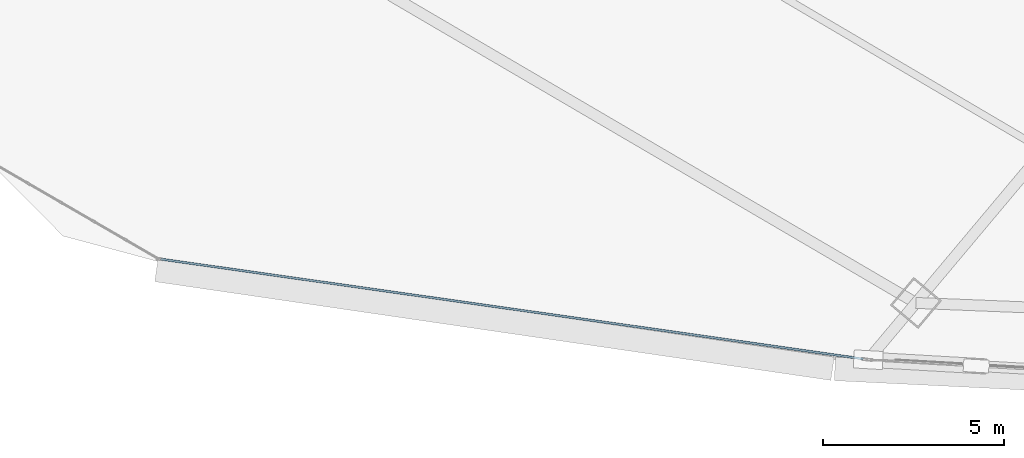
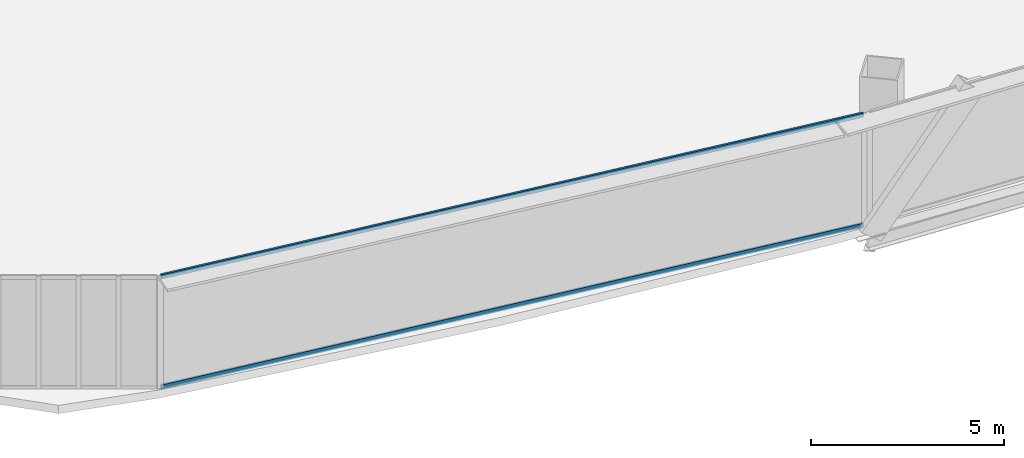
# One storey, part 3 of 39: 2 members, 1 element without a shape of its own.
"""IFC4 building model written with IfcOpenShell, lengths in metres."""

from ifc_helpers import new_model, si_unit, direction, frame, origin, origin_2d, place, context, subcontext, project, spatial, hollow_rectangle, extrude, source, transform, mapped, material, layer, layer_set, material_profile, profile_set, type_object, element, aggregate, save


model = new_model("IFC4")

# Units and contexts
model_context = context("Model", 3, precision=1e-05, world=origin(), true_north=direction((0.0, 1.0)))
body_context = subcontext(model_context, "Body", "Model", "MODEL_VIEW")
ifc_project = project(units=[si_unit("LENGTHUNIT", "METRE"), si_unit("AREAUNIT", "SQUARE_METRE"), si_unit("VOLUMEUNIT", "CUBIC_METRE"), si_unit("PLANEANGLEUNIT", "RADIAN"), si_unit("MASSUNIT", "GRAM", prefix="KILO"), si_unit("THERMODYNAMICTEMPERATUREUNIT", "KELVIN"), si_unit("POWERUNIT", "WATT")], contexts=[model_context])

# Site, building, storey
site_placement = place(None, origin())
site = spatial("IfcSite", under=ifc_project, at=site_placement, CompositionType="ELEMENT")
building_placement = place(site_placement, origin())
building = spatial("IfcBuilding", under=site, at=building_placement, Name="Yunzhuo Pagoda Commons", CompositionType="ELEMENT")
storey_placement = place(building_placement, frame((0.0, 0.0, 96.3798828125)))
storey = spatial("IfcBuildingStorey", under=building, at=storey_placement, Name="L24", CompositionType="ELEMENT", Elevation=96.3798828125)

# Curtain wall, members
ifc_material = material(Name="Anodized aluminium 6063-T6", Category="aluminium")
ifc_layer = layer(ifc_material, 0.1650390625)
ifc_layer_set = layer_set([ifc_layer], Name="Anodized aluminium 6063-T6")
curtain_wall_type = type_object("IfcCurtainWallType", Name="CW-LOW Low-Zone Ribbon Curtain Wall", PredefinedType="NOTDEFINED", material=ifc_layer_set)
curtain_wall_placement = place(storey_placement, origin())
curtain_wall = element("IfcCurtainWall", 1, at=curtain_wall_placement, inside=storey, type_object=curtain_wall_type, Name="L24 curtain wall CW-L24-F1B1", PredefinedType="NOTDEFINED")
ifc_material_profile = material_profile(ifc_material, hollow_rectangle(XDim=0.06005859375, YDim=0.139892578125, WallThickness=0.00341796875, at=origin_2d()), Name="Anodized aluminium 6063-T6")
ifc_profile_set = profile_set([ifc_material_profile], Name="Anodized aluminium 6063-T6")
member_type = type_object("IfcMemberType", Name="CW-LOW-T Transom RHS 140x60x3.5", PredefinedType="USERDEFINED", material=ifc_profile_set)
shared_shape = source(origin(), body_context, "Body", "SweptSolid", [
    extrude(hollow_rectangle(XDim=0.06005859375, YDim=0.139892578125, WallThickness=0.00341796875, at=origin_2d()), origin(), (0.0, 0.0, 1.0), 19.56298828125),
])
member_1_placement = place(storey_placement, frame((10.744140625, 15.32080078125, 0.030029296875), z_axis=(0.990043868735, -0.140759148836, 0.0), x_axis=(0.140759148836, 0.990043868735, 0.0)))
member_1 = element("IfcMember", 2, at=member_1_placement, type_object=member_type, Name="CW transom 1.1", ObjectType="TRANSOM", PredefinedType="USERDEFINED", context=body_context, shape_type="MappedRepresentation", body=[
    mapped(shared_shape, transform((0.0, 0.0, 0.0), scale=1.0)),
])
member_2_placement = place(storey_placement, frame((10.744140625, 15.32080078125, 3.510009765625), z_axis=(0.990043868735, -0.140759148836, 0.0), x_axis=(0.140759148836, 0.990043868735, 0.0)))
member_2 = element("IfcMember", 3, at=member_2_placement, type_object=member_type, Name="CW transom 1.2", ObjectType="TRANSOM", PredefinedType="USERDEFINED", context=body_context, shape_type="MappedRepresentation", body=[
    mapped(shared_shape, transform((0.0, 0.0, 0.0), scale=1.0)),
])
aggregate(curtain_wall, [member_1, member_2])

save(model, "model.ifc")
